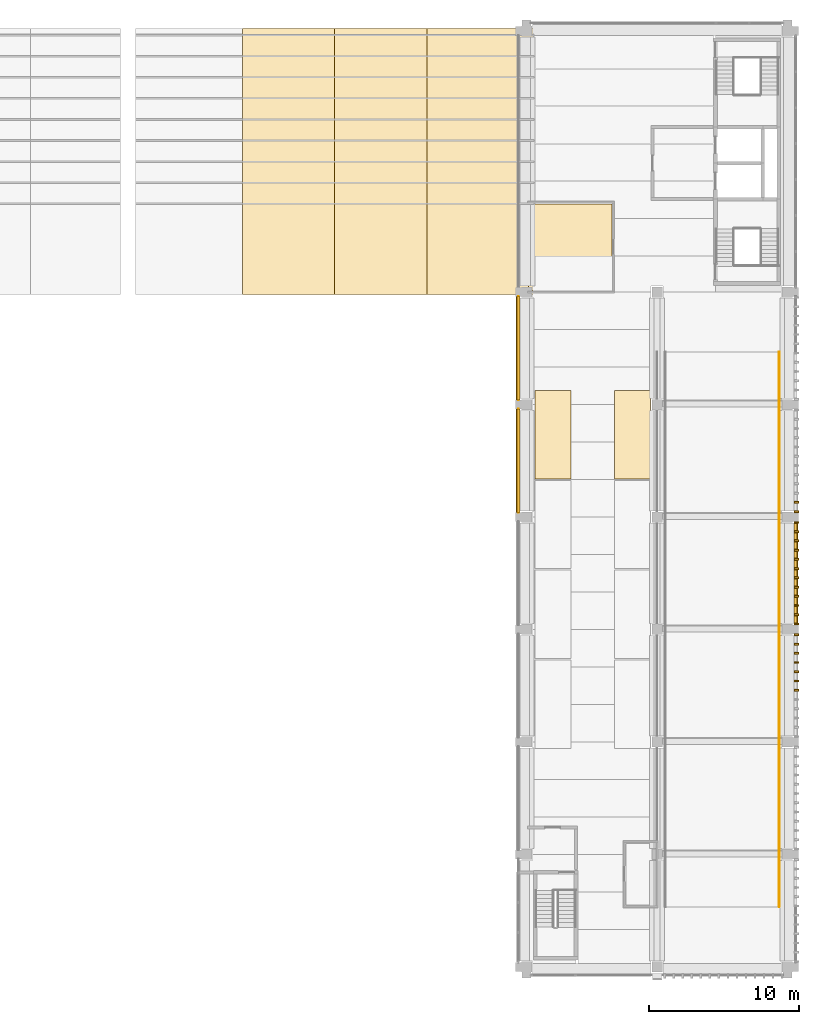
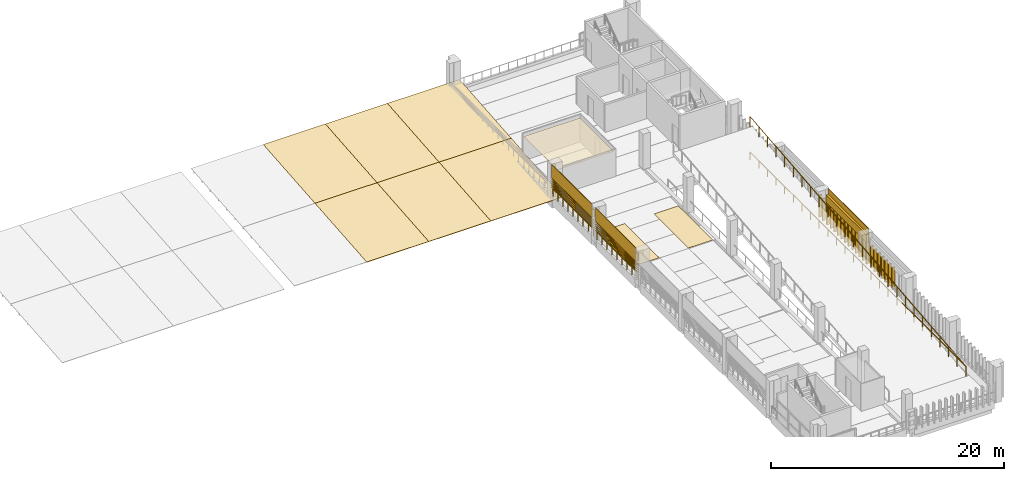
# One storey, part 21 of 24: 33 coverings, 10 shading devices, 4 railings, 1 element without a shape of its own.
"""IFC4 building model written with IfcOpenShell, lengths in metres."""

from ifc_helpers import new_model, si_unit, direction, frame, origin, origin_2d, place, context, subcontext, project, spatial, polyline, circle, outline, extrude, material, layer, layer_set, type_object, element, aggregate, save


model = new_model("IFC4")

# Units and contexts
model_context = context("Model", 3, precision=1e-05, world=origin(), true_north=direction((0.0, 1.0)))
body_context = subcontext(model_context, "Body", "Model", "MODEL_VIEW")
ifc_project = project(units=[si_unit("LENGTHUNIT", "METRE"), si_unit("AREAUNIT", "SQUARE_METRE"), si_unit("VOLUMEUNIT", "CUBIC_METRE"), si_unit("PLANEANGLEUNIT", "RADIAN"), si_unit("MASSUNIT", "GRAM", prefix="KILO")], contexts=[model_context])

# Site, building, storey
site_placement = place(None, origin())
site = spatial("IfcSite", under=ifc_project, at=site_placement, CompositionType="ELEMENT")
building_placement = place(site_placement, origin())
building = spatial("IfcBuilding", under=site, at=building_placement, Name="Cour d'Honneur Mobility Palace", CompositionType="ELEMENT")
storey_placement = place(building_placement, frame((0.0, 0.0, 26.699951171875)))
storey = spatial("IfcBuildingStorey", under=building, at=storey_placement, Name="L07", CompositionType="ELEMENT", Elevation=26.699951171875)

# Railings
ifc_material_1 = material(Name="Painted steel", Category="steel")
railing_type_1 = type_object("IfcRailingType", Name="Balustrade", PredefinedType="BALUSTRADE", material=ifc_material_1)
for number, where, name in (
    (1, (144.35009765625, 44.699951171875, 0.300048828125), "Balustrade BAL-382"),
    (2, (144.35009765625, 37.199951171875, 0.300048828125), "Balustrade BAL-383"),
):
    element("IfcRailing", number, at=place(storey_placement, frame(where)), inside=storey, type_object=railing_type_1, Name=name, PredefinedType="BALUSTRADE", context=body_context, shape_type="SweptSolid", body=[
        extrude(circle(Radius=0.02392578125, at=origin_2d()), frame((0.0, 0.0, 0.77587890625), z_axis=(0.0, -1.0, 0.0), x_axis=(1.0, 0.0, 0.0)), (0.0, 0.0, 1.0), 6.89990234375),
        extrude(circle(Radius=0.02099609375, at=origin_2d()), origin(), (0.0, 0.0, 1.0), 0.751953125),
        extrude(circle(Radius=0.02099609375, at=origin_2d()), frame((0.0, -0.862548828125, 0.0)), (0.0, 0.0, 1.0), 0.751953125),
        extrude(circle(Radius=0.02099609375, at=origin_2d()), frame((0.0, -1.72509765625, 0.0)), (0.0, 0.0, 1.0), 0.751953125),
        extrude(circle(Radius=0.02099609375, at=origin_2d()), frame((0.0, -2.58740234375, 0.0)), (0.0, 0.0, 1.0), 0.751953125),
        extrude(circle(Radius=0.02099609375, at=origin_2d()), frame((0.0, -3.449951171875, 0.0)), (0.0, 0.0, 1.0), 0.751953125),
        extrude(circle(Radius=0.02099609375, at=origin_2d()), frame((0.0, -4.3125, 0.0)), (0.0, 0.0, 1.0), 0.751953125),
        extrude(circle(Radius=0.02099609375, at=origin_2d()), frame((0.0, -5.1748046875, 0.0)), (0.0, 0.0, 1.0), 0.751953125),
        extrude(circle(Radius=0.02099609375, at=origin_2d()), frame((0.0, -6.037353515625, 0.0)), (0.0, 0.0, 1.0), 0.751953125),
        extrude(circle(Radius=0.02099609375, at=origin_2d()), frame((0.0, -6.89990234375, 0.0)), (0.0, 0.0, 1.0), 0.751953125),
    ])

# Coverings
ifc_material_2 = material(Name="Parking marking paint")
ifc_layer_1 = layer(ifc_material_2, 0.0048828125)
ifc_layer_set_1 = layer_set([ifc_layer_1], Name="Parking marking paint")
covering_type_1 = type_object("IfcCoveringType", Name="Parking bay marking", PredefinedType="FLOORING", material=ifc_layer_set_1)
covering_1_placement = place(storey_placement, origin())
element("IfcCovering", 3, at=covering_1_placement, inside=storey, type_object=covering_type_1, Name="Parking bay marking L07 4", PredefinedType="FLOORING", context=body_context, shape_type="SweptSolid", body=[
    extrude(outline(polyline([(153.14990234375, 32.550048828125), (150.75, 32.550048828125), (150.75, 38.449951171875), (153.14990234375, 38.449951171875), (153.14990234375, 32.550048828125)])), origin(), (0.0, 0.0, 1.0), 0.005126953125),
])
covering_2_placement = place(storey_placement, origin())
element("IfcCovering", 4, at=covering_2_placement, inside=storey, type_object=covering_type_1, Name="Parking bay marking L07 8", PredefinedType="FLOORING", context=body_context, shape_type="SweptSolid", body=[
    extrude(outline(polyline([(147.85009765625, 32.550048828125), (145.449951171875, 32.550048828125), (145.449951171875, 38.449951171875), (147.85009765625, 38.449951171875), (147.85009765625, 32.550048828125)])), origin(), (0.0, 0.0, 1.0), 0.005126953125),
])

# Roof, coverings
ifc_material_3 = material(Name="Zinc standing seam")
ifc_layer_2 = layer(ifc_material_3, 0.050048828125)
ifc_layer_set_2 = layer_set([ifc_layer_2], Name="Zinc standing seam")
roof_type = type_object("IfcRoofType", Name="Pavilion roof", PredefinedType="SHED_ROOF", material=ifc_layer_set_2)
roof_placement = place(storey_placement, origin())
roof = element("IfcRoof", 5, at=roof_placement, inside=storey, type_object=roof_type, Name="Pavilion roof FE", PredefinedType="SHED_ROOF")
ifc_material_4 = material(Name="Zinc standing seam")
ifc_layer_3 = layer(ifc_material_4, 0.050048828125)
ifc_layer_set_3 = layer_set([ifc_layer_3], Name="Zinc standing seam")
covering_type_2 = type_object("IfcCoveringType", Name="Pavilion roof panel", PredefinedType="ROOFING", material=ifc_layer_set_3)
covering_3_placement = place(storey_placement, frame((125.949951171875, 44.824951171875, -0.2236328125), z_axis=(0.0, -0.087145193516, 0.996195620974), x_axis=(1.0, 0.0, 0.0)))
covering_3 = element("IfcCovering", 6, at=covering_3_placement, type_object=covering_type_2, Name="Pavilion roof panel FE-3", PredefinedType="ROOFING", context=body_context, shape_type="SweptSolid", body=[
    extrude(outline(polyline([(0.0, 0.0), (6.150146484375, 0.0), (6.150146484375, 8.908892804935228), (0.0, 8.908892804935228), (0.0, 0.0)])), origin(), (0.0, 0.0, -1.0), 0.050048828125),
])
covering_4_placement = place(storey_placement, frame((125.949951171875, 53.699951171875, 0.552734375), z_axis=(0.0, -0.087117997385, 0.996197999663), x_axis=(1.0, 0.0, 0.0)))
covering_4 = element("IfcCovering", 7, at=covering_4_placement, type_object=covering_type_2, Name="Pavilion roof panel FE-4", PredefinedType="ROOFING", context=body_context, shape_type="SweptSolid", body=[
    extrude(outline(polyline([(0.0, 0.0), (6.150146484375, 0.0), (6.150146484375, 8.908871532573054), (0.0, 8.908871532573054), (0.0, 0.0)])), origin(), (0.0, 0.0, -1.0), 0.050048828125),
])
covering_5_placement = place(storey_placement, frame((132.10009765625, 44.824951171875, -0.2236328125), z_axis=(0.0, -0.087145193516, 0.996195620974), x_axis=(1.0, 0.0, 0.0)))
covering_5 = element("IfcCovering", 8, at=covering_5_placement, type_object=covering_type_2, Name="Pavilion roof panel FE-5", PredefinedType="ROOFING", context=body_context, shape_type="SweptSolid", body=[
    extrude(outline(polyline([(0.0, 0.0), (6.14990234375, 0.0), (6.14990234375, 8.908892804935228), (0.0, 8.908892804935228), (0.0, 0.0)])), origin(), (0.0, 0.0, -1.0), 0.050048828125),
])
covering_6_placement = place(storey_placement, frame((132.10009765625, 53.699951171875, 0.552734375), z_axis=(0.0, -0.087117997385, 0.996197999663), x_axis=(1.0, 0.0, 0.0)))
covering_6 = element("IfcCovering", 9, at=covering_6_placement, type_object=covering_type_2, Name="Pavilion roof panel FE-6", PredefinedType="ROOFING", context=body_context, shape_type="SweptSolid", body=[
    extrude(outline(polyline([(0.0, 0.0), (6.14990234375, 0.0), (6.14990234375, 8.908871532573054), (0.0, 8.908871532573054), (0.0, 0.0)])), origin(), (0.0, 0.0, -1.0), 0.050048828125),
])
covering_7_placement = place(storey_placement, frame((138.25, 44.824951171875, -0.2236328125), z_axis=(0.0, -0.087145193516, 0.996195620974), x_axis=(1.0, 0.0, 0.0)))
covering_7 = element("IfcCovering", 10, at=covering_7_placement, type_object=covering_type_2, Name="Pavilion roof panel FE-7", PredefinedType="ROOFING", context=body_context, shape_type="SweptSolid", body=[
    extrude(outline(polyline([(0.0, 0.0), (7.14990234375, 0.0), (7.14990234375, 8.908892804935228), (0.0, 8.908892804935228), (0.0, 0.0)])), origin(), (0.0, 0.0, -1.0), 0.050048828125),
])
covering_8_placement = place(storey_placement, frame((138.25, 53.699951171875, 0.552734375), z_axis=(0.0, -0.087117997385, 0.996197999663), x_axis=(1.0, 0.0, 0.0)))
covering_8 = element("IfcCovering", 11, at=covering_8_placement, type_object=covering_type_2, Name="Pavilion roof panel FE-8", PredefinedType="ROOFING", context=body_context, shape_type="SweptSolid", body=[
    extrude(outline(polyline([(0.0, 0.0), (7.14990234375, 0.0), (7.14990234375, 8.908871532573054), (0.0, 8.908871532573054), (0.0, 0.0)])), origin(), (0.0, 0.0, -1.0), 0.050048828125),
])
aggregate(roof, [covering_3, covering_4, covering_5, covering_6, covering_7, covering_8])

# Railing
ifc_material_5 = material(Name="Painted steel", Category="steel")
railing_type_2 = type_object("IfcRailingType", Name="Ramp guard 1100", PredefinedType="GUARDRAIL", material=ifc_material_5)
railing_1_placement = place(storey_placement, frame((161.75, 4.0, 0.0)))
element("IfcRailing", 12, at=railing_1_placement, inside=storey, type_object=railing_type_2, Name="Ramp guard Ramp East 8", PredefinedType="GUARDRAIL", context=body_context, shape_type="SweptSolid", body=[
    extrude(circle(Radius=0.02490234375, at=origin_2d()), frame((0.0, 0.0, 1.0751953125), z_axis=(0.0, 0.995037320222, 0.099502418892), x_axis=(-1.0, 0.0, 0.0)), (0.0, 0.0, 1.0), 37.1845703125),
    extrude(circle(Radius=0.02099609375, at=origin_2d()), origin(), (0.0, 0.0, 1.0), 1.050048828125),
    extrude(circle(Radius=0.02099609375, at=origin_2d()), frame((0.0, 1.47998046875, 0.14794921875)), (0.0, 0.0, 1.0), 1.050048828125),
    extrude(circle(Radius=0.02099609375, at=origin_2d()), frame((0.0, 2.9599609375, 0.2958984375)), (0.0, 0.0, 1.0), 1.050048828125),
    extrude(circle(Radius=0.02099609375, at=origin_2d()), frame((0.0, 4.43994140625, 0.444091796875)), (0.0, 0.0, 1.0), 1.050048828125),
    extrude(circle(Radius=0.02099609375, at=origin_2d()), frame((0.0, 5.919921875, 0.592041015625)), (0.0, 0.0, 1.0), 1.050048828125),
    extrude(circle(Radius=0.02099609375, at=origin_2d()), frame((0.0, 7.39990234375, 0.739990234375)), (0.0, 0.0, 1.0), 1.050048828125),
    extrude(circle(Radius=0.02099609375, at=origin_2d()), frame((0.0, 8.8798828125, 0.887939453125)), (0.0, 0.0, 1.0), 1.050048828125),
    extrude(circle(Radius=0.02099609375, at=origin_2d()), frame((0.0, 10.360107421875, 1.035888671875)), (0.0, 0.0, 1.0), 1.050048828125),
    extrude(circle(Radius=0.02099609375, at=origin_2d()), frame((0.0, 11.840087890625, 1.18408203125)), (0.0, 0.0, 1.0), 1.050048828125),
    extrude(circle(Radius=0.02099609375, at=origin_2d()), frame((0.0, 13.320068359375, 1.33203125)), (0.0, 0.0, 1.0), 1.050048828125),
    extrude(circle(Radius=0.02099609375, at=origin_2d()), frame((0.0, 14.800048828125, 1.47998046875)), (0.0, 0.0, 1.0), 1.050048828125),
    extrude(circle(Radius=0.02099609375, at=origin_2d()), frame((0.0, 16.280029296875, 1.6279296875)), (0.0, 0.0, 1.0), 1.050048828125),
    extrude(circle(Radius=0.02099609375, at=origin_2d()), frame((0.0, 17.760009765625, 1.77587890625)), (0.0, 0.0, 1.0), 1.050048828125),
    extrude(circle(Radius=0.02099609375, at=origin_2d()), frame((0.0, 19.239990234375, 1.924072265625)), (0.0, 0.0, 1.0), 1.050048828125),
    extrude(circle(Radius=0.02099609375, at=origin_2d()), frame((0.0, 20.719970703125, 2.072021484375)), (0.0, 0.0, 1.0), 1.050048828125),
    extrude(circle(Radius=0.02099609375, at=origin_2d()), frame((0.0, 22.199951171875, 2.219970703125)), (0.0, 0.0, 1.0), 1.050048828125),
    extrude(circle(Radius=0.02099609375, at=origin_2d()), frame((0.0, 23.679931640625, 2.367919921875)), (0.0, 0.0, 1.0), 1.050048828125),
    extrude(circle(Radius=0.02099609375, at=origin_2d()), frame((0.0, 25.159912109375, 2.515869140625)), (0.0, 0.0, 1.0), 1.050048828125),
    extrude(circle(Radius=0.02099609375, at=origin_2d()), frame((0.0, 26.639892578125, 2.6640625)), (0.0, 0.0, 1.0), 1.050048828125),
    extrude(circle(Radius=0.02099609375, at=origin_2d()), frame((0.0, 28.1201171875, 2.81201171875)), (0.0, 0.0, 1.0), 1.050048828125),
    extrude(circle(Radius=0.02099609375, at=origin_2d()), frame((0.0, 29.60009765625, 2.9599609375)), (0.0, 0.0, 1.0), 1.050048828125),
    extrude(circle(Radius=0.02099609375, at=origin_2d()), frame((0.0, 31.080078125, 3.10791015625)), (0.0, 0.0, 1.0), 1.050048828125),
    extrude(circle(Radius=0.02099609375, at=origin_2d()), frame((0.0, 32.56005859375, 3.255859375)), (0.0, 0.0, 1.0), 1.050048828125),
    extrude(circle(Radius=0.02099609375, at=origin_2d()), frame((0.0, 34.0400390625, 3.404052734375)), (0.0, 0.0, 1.0), 1.050048828125),
    extrude(circle(Radius=0.02099609375, at=origin_2d()), frame((0.0, 35.52001953125, 3.552001953125)), (0.0, 0.0, 1.0), 1.050048828125),
    extrude(circle(Radius=0.02099609375, at=origin_2d()), frame((0.0, 37.0, 3.699951171875)), (0.0, 0.0, 1.0), 1.050048828125),
])

# Coverings
ifc_material_6 = material(Name="Cast limestone", Category="masonry")
ifc_layer_4 = layer(ifc_material_6, 0.1201171875)
ifc_layer_set_4 = layer_set([ifc_layer_4], Name="Cast limestone")
covering_type_3 = type_object("IfcCoveringType", Name="Ramp screen fin", PredefinedType="CLADDING", material=ifc_layer_set_4)
covering_9_placement = place(storey_placement, origin())
element("IfcCovering", 13, at=covering_9_placement, inside=storey, type_object=covering_type_3, Name="Ramp screen fin E5.2 L07 6", PredefinedType="CLADDING", context=body_context, shape_type="SweptSolid", body=[
    extrude(outline(polyline([(162.75, 18.3818359375), (162.75, 18.501708984375), (163.050048828125, 18.501708984375), (163.050048828125, 18.3818359375), (162.75, 18.3818359375)])), origin(), (0.0, 0.0, 1.0), 2.300048828125),
])
covering_10_placement = place(storey_placement, origin())
element("IfcCovering", 14, at=covering_10_placement, inside=storey, type_object=covering_type_3, Name="Ramp screen fin E5.2 L07 7", PredefinedType="CLADDING", context=body_context, shape_type="SweptSolid", body=[
    extrude(outline(polyline([(162.75, 18.998291015625), (162.75, 19.1181640625), (163.050048828125, 19.1181640625), (163.050048828125, 18.998291015625), (162.75, 18.998291015625)])), origin(), (0.0, 0.0, 1.0), 2.300048828125),
])
covering_11_placement = place(storey_placement, origin())
element("IfcCovering", 15, at=covering_11_placement, inside=storey, type_object=covering_type_3, Name="Ramp screen fin E5.2 L07 8", PredefinedType="CLADDING", context=body_context, shape_type="SweptSolid", body=[
    extrude(outline(polyline([(162.75, 19.614501953125), (162.75, 19.734619140625), (163.050048828125, 19.734619140625), (163.050048828125, 19.614501953125), (162.75, 19.614501953125)])), origin(), (0.0, 0.0, 1.0), 2.300048828125),
])
covering_12_placement = place(storey_placement, origin())
element("IfcCovering", 16, at=covering_12_placement, inside=storey, type_object=covering_type_3, Name="Ramp screen fin E5.2 L07 9", PredefinedType="CLADDING", context=body_context, shape_type="SweptSolid", body=[
    extrude(outline(polyline([(162.75, 20.23095703125), (162.75, 20.350830078125), (163.050048828125, 20.350830078125), (163.050048828125, 20.23095703125), (162.75, 20.23095703125)])), origin(), (0.0, 0.0, 1.0), 2.300048828125),
])
covering_13_placement = place(storey_placement, origin())
element("IfcCovering", 17, at=covering_13_placement, inside=storey, type_object=covering_type_3, Name="Ramp screen fin E5.2 L07 10", PredefinedType="CLADDING", context=body_context, shape_type="SweptSolid", body=[
    extrude(outline(polyline([(162.75, 20.84716796875), (162.75, 20.96728515625), (163.050048828125, 20.96728515625), (163.050048828125, 20.84716796875), (162.75, 20.84716796875)])), origin(), (0.0, 0.0, 1.0), 2.300048828125),
])
covering_14_placement = place(storey_placement, origin())
element("IfcCovering", 18, at=covering_14_placement, inside=storey, type_object=covering_type_3, Name="Ramp screen fin E5.2 L07 11", PredefinedType="CLADDING", context=body_context, shape_type="SweptSolid", body=[
    extrude(outline(polyline([(162.75, 21.463623046875), (162.75, 21.583740234375), (163.050048828125, 21.583740234375), (163.050048828125, 21.463623046875), (162.75, 21.463623046875)])), origin(), (0.0, 0.0, 1.0), 2.300048828125),
])
covering_15_placement = place(storey_placement, origin())
element("IfcCovering", 19, at=covering_15_placement, inside=storey, type_object=covering_type_3, Name="Ramp screen fin E5.2 L07 12", PredefinedType="CLADDING", context=body_context, shape_type="SweptSolid", body=[
    extrude(outline(polyline([(162.75, 22.080078125), (162.75, 22.199951171875), (163.050048828125, 22.199951171875), (163.050048828125, 22.080078125), (162.75, 22.080078125)])), origin(), (0.0, 0.0, 1.0), 2.300048828125),
])
covering_16_placement = place(storey_placement, origin())
element("IfcCovering", 20, at=covering_16_placement, inside=storey, type_object=covering_type_3, Name="Ramp screen fin E5.3 L07 1", PredefinedType="CLADDING", context=body_context, shape_type="SweptSolid", body=[
    extrude(outline(polyline([(162.75, 22.800048828125), (162.75, 22.919921875), (163.050048828125, 22.919921875), (163.050048828125, 22.800048828125), (162.75, 22.800048828125)])), origin(), (0.0, 0.0, 1.0), 2.300048828125),
])
covering_17_placement = place(storey_placement, origin())
element("IfcCovering", 21, at=covering_17_placement, inside=storey, type_object=covering_type_3, Name="Ramp screen fin E5.3 L07 2", PredefinedType="CLADDING", context=body_context, shape_type="SweptSolid", body=[
    extrude(outline(polyline([(162.75, 23.416259765625), (162.75, 23.536376953125), (163.050048828125, 23.536376953125), (163.050048828125, 23.416259765625), (162.75, 23.416259765625)])), origin(), (0.0, 0.0, 1.0), 2.300048828125),
])
covering_18_placement = place(storey_placement, origin())
element("IfcCovering", 22, at=covering_18_placement, inside=storey, type_object=covering_type_3, Name="Ramp screen fin E5.3 L07 3", PredefinedType="CLADDING", context=body_context, shape_type="SweptSolid", body=[
    extrude(outline(polyline([(162.75, 24.03271484375), (162.75, 24.15283203125), (163.050048828125, 24.15283203125), (163.050048828125, 24.03271484375), (162.75, 24.03271484375)])), origin(), (0.0, 0.0, 1.0), 2.300048828125),
])
covering_19_placement = place(storey_placement, origin())
element("IfcCovering", 23, at=covering_19_placement, inside=storey, type_object=covering_type_3, Name="Ramp screen fin E5.3 L07 4", PredefinedType="CLADDING", context=body_context, shape_type="SweptSolid", body=[
    extrude(outline(polyline([(162.75, 24.649169921875), (162.75, 24.76904296875), (163.050048828125, 24.76904296875), (163.050048828125, 24.649169921875), (162.75, 24.649169921875)])), origin(), (0.0, 0.0, 1.0), 2.300048828125),
])
covering_20_placement = place(storey_placement, origin())
element("IfcCovering", 24, at=covering_20_placement, inside=storey, type_object=covering_type_3, Name="Ramp screen fin E5.3 L07 5", PredefinedType="CLADDING", context=body_context, shape_type="SweptSolid", body=[
    extrude(outline(polyline([(162.75, 25.265380859375), (162.75, 25.385498046875), (163.050048828125, 25.385498046875), (163.050048828125, 25.265380859375), (162.75, 25.265380859375)])), origin(), (0.0, 0.0, 1.0), 2.300048828125),
])
covering_21_placement = place(storey_placement, origin())
element("IfcCovering", 25, at=covering_21_placement, inside=storey, type_object=covering_type_3, Name="Ramp screen fin E5.3 L07 6", PredefinedType="CLADDING", context=body_context, shape_type="SweptSolid", body=[
    extrude(outline(polyline([(162.75, 25.8818359375), (162.75, 26.001708984375), (163.050048828125, 26.001708984375), (163.050048828125, 25.8818359375), (162.75, 25.8818359375)])), origin(), (0.0, 0.0, 1.0), 2.300048828125),
])
covering_22_placement = place(storey_placement, origin())
element("IfcCovering", 26, at=covering_22_placement, inside=storey, type_object=covering_type_3, Name="Ramp screen fin E5.3 L07 7", PredefinedType="CLADDING", context=body_context, shape_type="SweptSolid", body=[
    extrude(outline(polyline([(162.75, 26.498291015625), (162.75, 26.6181640625), (163.050048828125, 26.6181640625), (163.050048828125, 26.498291015625), (162.75, 26.498291015625)])), origin(), (0.0, 0.0, 1.0), 2.300048828125),
])
covering_23_placement = place(storey_placement, origin())
element("IfcCovering", 27, at=covering_23_placement, inside=storey, type_object=covering_type_3, Name="Ramp screen fin E5.3 L07 8", PredefinedType="CLADDING", context=body_context, shape_type="SweptSolid", body=[
    extrude(outline(polyline([(162.75, 27.114501953125), (162.75, 27.234619140625), (163.050048828125, 27.234619140625), (163.050048828125, 27.114501953125), (162.75, 27.114501953125)])), origin(), (0.0, 0.0, 1.0), 2.300048828125),
])
covering_24_placement = place(storey_placement, origin())
element("IfcCovering", 28, at=covering_24_placement, inside=storey, type_object=covering_type_3, Name="Ramp screen fin E5.3 L07 9", PredefinedType="CLADDING", context=body_context, shape_type="SweptSolid", body=[
    extrude(outline(polyline([(162.75, 27.73095703125), (162.75, 27.850830078125), (163.050048828125, 27.850830078125), (163.050048828125, 27.73095703125), (162.75, 27.73095703125)])), origin(), (0.0, 0.0, 1.0), 2.300048828125),
])
covering_25_placement = place(storey_placement, origin())
element("IfcCovering", 29, at=covering_25_placement, inside=storey, type_object=covering_type_3, Name="Ramp screen fin E5.3 L07 10", PredefinedType="CLADDING", context=body_context, shape_type="SweptSolid", body=[
    extrude(outline(polyline([(162.75, 28.34716796875), (162.75, 28.46728515625), (163.050048828125, 28.46728515625), (163.050048828125, 28.34716796875), (162.75, 28.34716796875)])), origin(), (0.0, 0.0, 1.0), 2.300048828125),
])
covering_26_placement = place(storey_placement, origin())
element("IfcCovering", 30, at=covering_26_placement, inside=storey, type_object=covering_type_3, Name="Ramp screen fin E5.3 L07 11", PredefinedType="CLADDING", context=body_context, shape_type="SweptSolid", body=[
    extrude(outline(polyline([(162.75, 28.963623046875), (162.75, 29.083740234375), (163.050048828125, 29.083740234375), (163.050048828125, 28.963623046875), (162.75, 28.963623046875)])), origin(), (0.0, 0.0, 1.0), 2.300048828125),
])
covering_27_placement = place(storey_placement, origin())
element("IfcCovering", 31, at=covering_27_placement, inside=storey, type_object=covering_type_3, Name="Ramp screen fin E5.3 L07 12", PredefinedType="CLADDING", context=body_context, shape_type="SweptSolid", body=[
    extrude(outline(polyline([(162.75, 29.580078125), (162.75, 29.699951171875), (163.050048828125, 29.699951171875), (163.050048828125, 29.580078125), (162.75, 29.580078125)])), origin(), (0.0, 0.0, 1.0), 2.300048828125),
])
covering_28_placement = place(storey_placement, origin())
element("IfcCovering", 32, at=covering_28_placement, inside=storey, type_object=covering_type_3, Name="Ramp screen fin E5.4 L07 1", PredefinedType="CLADDING", context=body_context, shape_type="SweptSolid", body=[
    extrude(outline(polyline([(162.75, 30.300048828125), (162.75, 30.419921875), (163.050048828125, 30.419921875), (163.050048828125, 30.300048828125), (162.75, 30.300048828125)])), origin(), (0.0, 0.0, 1.0), 2.300048828125),
])
covering_29_placement = place(storey_placement, origin())
element("IfcCovering", 33, at=covering_29_placement, inside=storey, type_object=covering_type_3, Name="Ramp screen fin E5.4 L07 2", PredefinedType="CLADDING", context=body_context, shape_type="SweptSolid", body=[
    extrude(outline(polyline([(162.75, 30.916259765625), (162.75, 31.036376953125), (163.050048828125, 31.036376953125), (163.050048828125, 30.916259765625), (162.75, 30.916259765625)])), origin(), (0.0, 0.0, 1.0), 2.300048828125),
])
ifc_material_7 = material(Name="Cast limestone", Category="masonry")
ifc_layer_5 = layer(ifc_material_7, 0.25)
ifc_layer_set_5 = layer_set([ifc_layer_5], Name="Cast limestone")
covering_type_4 = type_object("IfcCoveringType", Name="Spandrel cladding", PredefinedType="CLADDING", material=ifc_layer_set_5)
for number, where, z_axis, x_axis, name in (
    (34, (162.75, 22.800048828125, 2.300048828125), (0.0, -1.0, 0.0), (1.0, 0.0, 0.0), "Spandrel cladding SK-384"),
    (35, (144.449951171875, 44.699951171875, 2.300048828125), (0.0, 1.0, 0.0), (-1.0, 0.0, 0.0), "Spandrel cladding SK-386"),
    (36, (144.449951171875, 37.199951171875, 2.300048828125), (0.0, 1.0, 0.0), (-1.0, 0.0, 0.0), "Spandrel cladding SK-387"),
):
    element("IfcCovering", number, at=place(storey_placement, frame(where, z_axis=z_axis, x_axis=x_axis)), inside=storey, type_object=covering_type_4, Name=name, PredefinedType="CLADDING", context=body_context, shape_type="SweptSolid", body=[
        extrude(outline(polyline([(0.0, 0.0), (0.25, 0.0), (0.25, 1.39990234375), (0.199951171875, 1.39990234375), (0.199951171875, 0.800048828125), (0.0, 0.800048828125), (0.0, 0.0)])), origin(), (0.0, 0.0, -1.0), 6.89990234375),
    ])
ifc_material_8 = material(Name="Suspended ceiling")
ifc_layer_6 = layer(ifc_material_8, 0.030029296875)
ifc_layer_set_6 = layer_set([ifc_layer_6], Name="Suspended ceiling")
covering_type_5 = type_object("IfcCoveringType", Name="Suspended ceiling", PredefinedType="CEILING", material=ifc_layer_set_6)
covering_30_placement = place(storey_placement, frame((0.0, 0.0, 2.550048828125)))
element("IfcCovering", 37, at=covering_30_placement, inside=storey, type_object=covering_type_5, Name="Ceiling Attendant Room", PredefinedType="CEILING", context=body_context, shape_type="SweptSolid", body=[
    extrude(outline(polyline([(150.580078125, 45.1201171875), (145.02001953125, 45.1201171875), (145.02001953125, 50.8798828125), (150.580078125, 50.8798828125), (150.580078125, 45.1201171875)])), origin(), (0.0, 0.0, 1.0), 0.030029296875),
])

# Shading devices
ifc_material_9 = material(Name="Terracotta", Category="masonry")
ifc_layer_7 = layer(ifc_material_9, 0.02490234375)
ifc_layer_set_7 = layer_set([ifc_layer_7], Name="Terracotta")
shading_device_type = type_object("IfcShadingDeviceType", Name="Terracotta louvre blade", PredefinedType="JALOUSIE", material=ifc_layer_set_7)
for number, where, z_axis, x_axis, name in (
    (38, (144.4560546875, 44.699951171875, 1.10009765625), (0.707106781187, 0.0, 0.707106781187), (0.0, -1.0, 0.0), "Louvre blade LV-1 W7.1 L07 1"),
    (39, (144.4560546875, 44.699951171875, 1.312255859375), (0.707106781187, 0.0, 0.707106781187), (0.0, -1.0, 0.0), "Louvre blade LV-1 W7.1 L07 2"),
):
    element("IfcShadingDevice", number, at=place(storey_placement, frame(where, z_axis=z_axis, x_axis=x_axis)), inside=storey, type_object=shading_device_type, Name=name, PredefinedType="JALOUSIE", context=body_context, shape_type="SweptSolid", body=[
        extrude(outline(polyline([(0.0, 0.0), (6.89990234375, 0.0), (6.89990234375, -0.300037008228081), (0.0, -0.300037008228081), (0.0, 0.0)])), origin(), (0.0, 0.0, -1.0), 0.02490234375),
    ])
shading_device_1_placement = place(storey_placement, frame((144.4560546875, 44.699951171875, 1.5244140625), z_axis=(0.706699578995, 0.0, 0.707513749017), x_axis=(0.0, -1.0, 0.0)))
element("IfcShadingDevice", 40, at=shading_device_1_placement, inside=storey, type_object=shading_device_type, Name="Louvre blade LV-1 W7.1 L07 3", PredefinedType="JALOUSIE", context=body_context, shape_type="SweptSolid", body=[
    extrude(outline(polyline([(0.0, 0.0), (6.89990234375, 0.0), (6.89990234375, -0.29986442442957895), (0.0, -0.29986442442957895), (0.0, 0.0)])), origin(), (0.0, 0.0, -1.0), 0.02490234375),
])
for number, where, z_axis, x_axis, name in (
    (41, (144.4560546875, 44.699951171875, 1.736328125), (0.707106781187, 0.0, 0.707106781187), (0.0, -1.0, 0.0), "Louvre blade LV-1 W7.1 L07 4"),
    (42, (144.4560546875, 44.699951171875, 1.948486328125), (0.707106781187, 0.0, 0.707106781187), (0.0, -1.0, 0.0), "Louvre blade LV-1 W7.1 L07 5"),
    (43, (144.4560546875, 37.199951171875, 1.10009765625), (0.707106781187, 0.0, 0.707106781187), (0.0, -1.0, 0.0), "Louvre blade LV-1 W7.2 L07 1"),
    (44, (144.4560546875, 37.199951171875, 1.312255859375), (0.707106781187, 0.0, 0.707106781187), (0.0, -1.0, 0.0), "Louvre blade LV-1 W7.2 L07 2"),
):
    element("IfcShadingDevice", number, at=place(storey_placement, frame(where, z_axis=z_axis, x_axis=x_axis)), inside=storey, type_object=shading_device_type, Name=name, PredefinedType="JALOUSIE", context=body_context, shape_type="SweptSolid", body=[
        extrude(outline(polyline([(0.0, 0.0), (6.89990234375, 0.0), (6.89990234375, -0.300037008228081), (0.0, -0.300037008228081), (0.0, 0.0)])), origin(), (0.0, 0.0, -1.0), 0.02490234375),
    ])
shading_device_2_placement = place(storey_placement, frame((144.4560546875, 37.199951171875, 1.5244140625), z_axis=(0.706699578995, 0.0, 0.707513749017), x_axis=(0.0, -1.0, 0.0)))
element("IfcShadingDevice", 45, at=shading_device_2_placement, inside=storey, type_object=shading_device_type, Name="Louvre blade LV-1 W7.2 L07 3", PredefinedType="JALOUSIE", context=body_context, shape_type="SweptSolid", body=[
    extrude(outline(polyline([(0.0, 0.0), (6.89990234375, 0.0), (6.89990234375, -0.29986442442957895), (0.0, -0.29986442442957895), (0.0, 0.0)])), origin(), (0.0, 0.0, -1.0), 0.02490234375),
])
for number, where, z_axis, x_axis, name in (
    (46, (144.4560546875, 37.199951171875, 1.736328125), (0.707106781187, 0.0, 0.707106781187), (0.0, -1.0, 0.0), "Louvre blade LV-1 W7.2 L07 4"),
    (47, (144.4560546875, 37.199951171875, 1.948486328125), (0.707106781187, 0.0, 0.707106781187), (0.0, -1.0, 0.0), "Louvre blade LV-1 W7.2 L07 5"),
):
    element("IfcShadingDevice", number, at=place(storey_placement, frame(where, z_axis=z_axis, x_axis=x_axis)), inside=storey, type_object=shading_device_type, Name=name, PredefinedType="JALOUSIE", context=body_context, shape_type="SweptSolid", body=[
        extrude(outline(polyline([(0.0, 0.0), (6.89990234375, 0.0), (6.89990234375, -0.300037008228081), (0.0, -0.300037008228081), (0.0, 0.0)])), origin(), (0.0, 0.0, -1.0), 0.02490234375),
    ])

# Railing
ifc_material_10 = material(Name="Painted steel", Category="steel")
railing_type_3 = type_object("IfcRailingType", Name="Void edge guard 1100", PredefinedType="GUARDRAIL", material=ifc_material_10)
railing_2_placement = place(storey_placement, frame((161.75, 4.0, 0.300048828125)))
element("IfcRailing", 48, at=railing_2_placement, inside=storey, type_object=railing_type_3, Name="Void edge guard SE L07", PredefinedType="GUARDRAIL", context=body_context, shape_type="SweptSolid", body=[
    extrude(circle(Radius=0.02490234375, at=origin_2d()), frame((0.0, 0.0, 0.77490234375), z_axis=(0.0, 1.0, 0.0), x_axis=(-1.0, 0.0, 0.0)), (0.0, 0.0, 1.0), 37.0),
    extrude(circle(Radius=0.02099609375, at=origin_2d()), origin(), (0.0, 0.0, 1.0), 0.75),
    extrude(circle(Radius=0.02099609375, at=origin_2d()), frame((0.0, 1.47998046875, 0.0)), (0.0, 0.0, 1.0), 0.75),
    extrude(circle(Radius=0.02099609375, at=origin_2d()), frame((0.0, 2.9599609375, 0.0)), (0.0, 0.0, 1.0), 0.75),
    extrude(circle(Radius=0.02099609375, at=origin_2d()), frame((0.0, 4.43994140625, 0.0)), (0.0, 0.0, 1.0), 0.75),
    extrude(circle(Radius=0.02099609375, at=origin_2d()), frame((0.0, 5.919921875, 0.0)), (0.0, 0.0, 1.0), 0.75),
    extrude(circle(Radius=0.02099609375, at=origin_2d()), frame((0.0, 7.39990234375, 0.0)), (0.0, 0.0, 1.0), 0.75),
    extrude(circle(Radius=0.02099609375, at=origin_2d()), frame((0.0, 8.8798828125, 0.0)), (0.0, 0.0, 1.0), 0.75),
    extrude(circle(Radius=0.02099609375, at=origin_2d()), frame((0.0, 10.360107421875, 0.0)), (0.0, 0.0, 1.0), 0.75),
    extrude(circle(Radius=0.02099609375, at=origin_2d()), frame((0.0, 11.840087890625, 0.0)), (0.0, 0.0, 1.0), 0.75),
    extrude(circle(Radius=0.02099609375, at=origin_2d()), frame((0.0, 13.320068359375, 0.0)), (0.0, 0.0, 1.0), 0.75),
    extrude(circle(Radius=0.02099609375, at=origin_2d()), frame((0.0, 14.800048828125, 0.0)), (0.0, 0.0, 1.0), 0.75),
    extrude(circle(Radius=0.02099609375, at=origin_2d()), frame((0.0, 16.280029296875, 0.0)), (0.0, 0.0, 1.0), 0.75),
    extrude(circle(Radius=0.02099609375, at=origin_2d()), frame((0.0, 17.760009765625, 0.0)), (0.0, 0.0, 1.0), 0.75),
    extrude(circle(Radius=0.02099609375, at=origin_2d()), frame((0.0, 19.239990234375, 0.0)), (0.0, 0.0, 1.0), 0.75),
    extrude(circle(Radius=0.02099609375, at=origin_2d()), frame((0.0, 20.719970703125, 0.0)), (0.0, 0.0, 1.0), 0.75),
    extrude(circle(Radius=0.02099609375, at=origin_2d()), frame((0.0, 22.199951171875, 0.0)), (0.0, 0.0, 1.0), 0.75),
    extrude(circle(Radius=0.02099609375, at=origin_2d()), frame((0.0, 23.679931640625, 0.0)), (0.0, 0.0, 1.0), 0.75),
    extrude(circle(Radius=0.02099609375, at=origin_2d()), frame((0.0, 25.159912109375, 0.0)), (0.0, 0.0, 1.0), 0.75),
    extrude(circle(Radius=0.02099609375, at=origin_2d()), frame((0.0, 26.639892578125, 0.0)), (0.0, 0.0, 1.0), 0.75),
    extrude(circle(Radius=0.02099609375, at=origin_2d()), frame((0.0, 28.1201171875, 0.0)), (0.0, 0.0, 1.0), 0.75),
    extrude(circle(Radius=0.02099609375, at=origin_2d()), frame((0.0, 29.60009765625, 0.0)), (0.0, 0.0, 1.0), 0.75),
    extrude(circle(Radius=0.02099609375, at=origin_2d()), frame((0.0, 31.080078125, 0.0)), (0.0, 0.0, 1.0), 0.75),
    extrude(circle(Radius=0.02099609375, at=origin_2d()), frame((0.0, 32.56005859375, 0.0)), (0.0, 0.0, 1.0), 0.75),
    extrude(circle(Radius=0.02099609375, at=origin_2d()), frame((0.0, 34.0400390625, 0.0)), (0.0, 0.0, 1.0), 0.75),
    extrude(circle(Radius=0.02099609375, at=origin_2d()), frame((0.0, 35.52001953125, 0.0)), (0.0, 0.0, 1.0), 0.75),
    extrude(circle(Radius=0.02099609375, at=origin_2d()), frame((0.0, 37.0, 0.0)), (0.0, 0.0, 1.0), 0.75),
])

save(model, "model.ifc")
